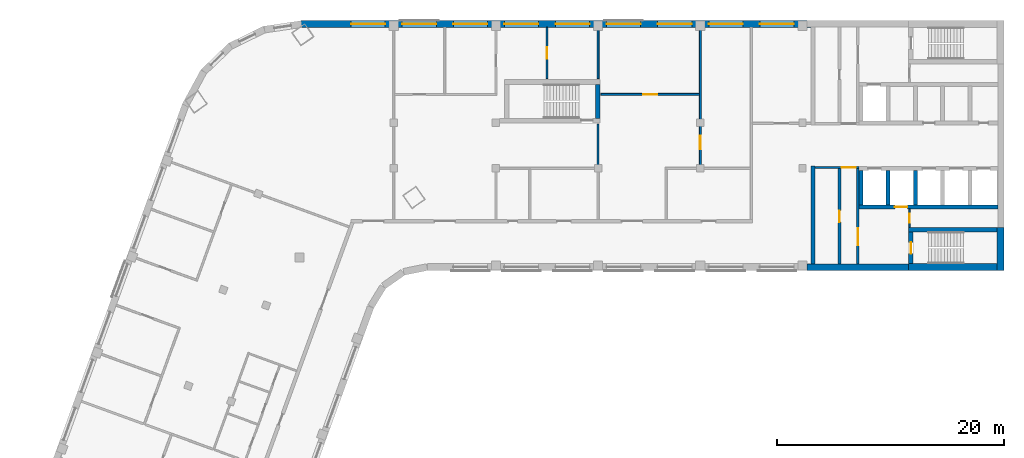
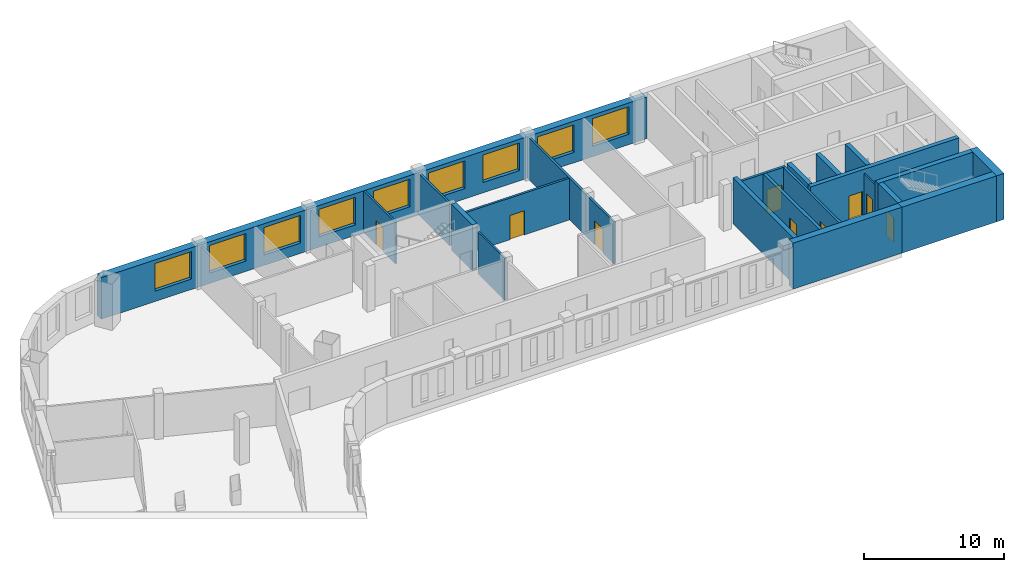
# One storey, part 5 of 8: 21 walls, 9 doors, 9 windows, 18 openings.
"""IFC4 building model written with IfcOpenShell, lengths in metres."""

import ifcopenshell
import ifcopenshell.guid

model = None  # the IFC model being written
_history = None  # IfcOwnerHistory: only IFC2X3 demands one
_inside = {}  # id of a spatial element -> (the spatial element, [elements in it])
_under = {}  # id of a project, library or spatial element -> (it, [spatial elements below it])
_declared = {}  # id of a project -> (the project, [libraries it declares])
_typed = {}  # id of a type object -> (the type object, [elements of that type])
_made_of = {}  # id of a material, layer set ... -> (it, [elements and type objects made of it])


def new_model(schema):
    """Start an empty IFC model of exactly this schema.

    Asked for "IFC4X3", IfcOpenShell would pick the latest addendum, in which some entities
    have other attributes; the version numbers below select the first issue.
    IFC2X3 requires an IfcOwnerHistory on every rooted entity: one is made here for all.
    """
    global model, _history
    if schema == "IFC4X3":
        model = ifcopenshell.file(schema_version=(4, 3, 0, 0))
    else:
        model = ifcopenshell.file(schema=schema)
    _inside.clear()
    _under.clear()
    _declared.clear()
    _typed.clear()
    _made_of.clear()
    _history = None
    if model.schema == "IFC2X3":
        org = make("IfcOrganization", Name="unknown")
        user = make(
            "IfcPersonAndOrganization",
            ThePerson=make("IfcPerson", FamilyName="unknown"),
            TheOrganization=org,
        )
        app = make(
            "IfcApplication",
            ApplicationDeveloper=org,
            Version="unknown",
            ApplicationFullName="unknown",
            ApplicationIdentifier="unknown",
        )
        _history = make(
            "IfcOwnerHistory",
            OwningUser=user,
            OwningApplication=app,
            ChangeAction="ADDED",
            CreationDate=0,
        )
    return model


def make(cls, **values):
    """One entity of the class cls with the attributes given. An attribute that is None is left unset."""
    return model.create_entity(
        cls, **{name: value for name, value in values.items() if value is not None}
    )


def rooted(cls, **values):
    """An entity with a GlobalId (a new one), such as an element, a storey or a relation."""
    return make(cls, GlobalId=ifcopenshell.guid.new(), OwnerHistory=_history, **values)


def si_unit(unit_type, name, prefix=None):
    """IfcSIUnit, for example si_unit("LENGTHUNIT", "METRE", prefix="MILLI")."""
    return make("IfcSIUnit", UnitType=unit_type, Prefix=prefix, Name=name)


def assignment(units):
    """IfcUnitAssignment: the units of a project."""
    return None if units is None else make("IfcUnitAssignment", Units=units)


def point(xyz):
    """IfcCartesianPoint."""
    return None if xyz is None else make("IfcCartesianPoint", Coordinates=xyz)


def direction(xyz):
    """IfcDirection."""
    return None if xyz is None else make("IfcDirection", DirectionRatios=xyz)


def frame(location, z_axis=None, x_axis=None):
    """IfcAxis2Placement3D, a coordinate frame: its origin and axes. An axis left out is left unset."""
    return make(
        "IfcAxis2Placement3D",
        Location=point(location),
        Axis=direction(z_axis),
        RefDirection=direction(x_axis),
    )


def frame_2d(location, x_axis=None):
    """IfcAxis2Placement2D, a coordinate frame in the plane: its origin and x axis."""
    return make(
        "IfcAxis2Placement2D", Location=point(location), RefDirection=direction(x_axis)
    )


def origin():
    """The frame at (0, 0, 0) with its axes left unset."""
    return frame((0.0, 0.0, 0.0))


def place(relative_to, where):
    """IfcLocalPlacement: puts the frame where relative to a parent placement (None: the world)."""
    return make(
        "IfcLocalPlacement", PlacementRelTo=relative_to, RelativePlacement=where
    )


def context(
    kind, dimensions, precision=None, world=None, true_north=None, identifier=None
):
    """IfcGeometricRepresentationContext, for example the 3D "Model" context."""
    return make(
        "IfcGeometricRepresentationContext",
        ContextIdentifier=identifier,
        ContextType=kind,
        CoordinateSpaceDimension=dimensions,
        Precision=precision,
        WorldCoordinateSystem=world,
        TrueNorth=true_north,
    )


def subcontext(parent, identifier, kind, view, scale=None):
    """IfcGeometricRepresentationSubContext, for example "Body" below "Model"."""
    return make(
        "IfcGeometricRepresentationSubContext",
        ContextIdentifier=identifier,
        ContextType=kind,
        ParentContext=parent,
        TargetScale=scale,
        TargetView=view,
    )


def project(units=None, contexts=None):
    """IfcProject with its units and contexts."""
    return rooted(
        "IfcProject",
        Name="project",
        RepresentationContexts=contexts,
        UnitsInContext=assignment(units),
    )


def spatial(cls, under=None, at=None, **own):
    """A site, building, storey or space (cls), placed at a placement, below another one or the project."""
    s = rooted(cls, ObjectPlacement=at, **own)
    if under is not None:
        _under.setdefault(under.id(), (under, []))[1].append(s)
    return s


def profile(cls, at=None, kind="AREA", **sizes):
    """A parametric profile (cls). Its sizes go by their IFC names, for example OverallWidth=200.0."""
    return make(cls, ProfileType=kind, Position=at, **sizes)


def rectangle(**sizes):
    """IfcRectangleProfileDef."""
    return profile("IfcRectangleProfileDef", **sizes)


def extrude(swept, where, along, depth):
    """IfcExtrudedAreaSolid: the profile swept, set in the frame where, extruded along a direction by depth."""
    return make(
        "IfcExtrudedAreaSolid",
        SweptArea=swept,
        Position=where,
        ExtrudedDirection=direction(along),
        Depth=depth,
    )


def shape(context_of_items, identifier, shape_type, items):
    """IfcShapeRepresentation: the items that make up one representation, for example the "Body"."""
    return make(
        "IfcShapeRepresentation",
        ContextOfItems=context_of_items,
        RepresentationIdentifier=identifier,
        RepresentationType=shape_type,
        Items=items,
    )


def material(Name=None, Category=None):
    """IfcMaterial."""
    return make("IfcMaterial", Name=Name, Category=Category)


def layer(
    of_material, thickness, ventilated=None, Name=None, Category=None, Priority=None
):
    """IfcMaterialLayer: one layer of a wall or slab, of a material (None: an air gap)."""
    return make(
        "IfcMaterialLayer",
        Material=of_material,
        LayerThickness=thickness,
        IsVentilated=ventilated,
        Name=Name,
        Category=Category,
        Priority=Priority,
    )


def layer_set(layers, Name=None):
    """IfcMaterialLayerSet."""
    return make("IfcMaterialLayerSet", MaterialLayers=layers, LayerSetName=Name)


def made_of(thing, what):
    """Note that an element or type object is made of a material, layer set ...; save() writes the relation."""
    if what is not None:
        _made_of.setdefault(what.id(), (what, []))[1].append(thing)
    return thing


def type_object(cls, material=None, **own):
    """A type object (cls), such as IfcWallType, which elements share."""
    return made_of(rooted(cls, **own), material)


def element(
    cls,
    number,
    at=None,
    inside=None,
    cuts=None,
    type_object=None,
    material=None,
    context=None,
    identifier="Body",
    shape_type=None,
    held_by="IfcProductDefinitionShape",
    body=None,
    shapes=None,
    **own,
):
    """One element of the class cls, such as IfcWall. Its Tag is "e" and its number.

    at: its placement. inside: the storey or other place that contains it. cuts: it is an
    opening in that element (IfcRelVoidsElement). A single representation is given by context,
    identifier, shape_type and body (its items); several are given by shapes. held_by: the class
    of the entity that holds the representations. save() writes the other relations.
    """
    e = rooted(cls, Tag="e%d" % number, ObjectPlacement=at, **own)
    if body is not None:
        shapes = [shape(context, identifier, shape_type, body)]
    if shapes is not None:
        e.Representation = make(held_by, Representations=shapes)
    if inside is not None:
        _inside.setdefault(inside.id(), (inside, []))[1].append(e)
    if cuts is not None:
        rooted(
            "IfcRelVoidsElement", RelatingBuildingElement=cuts, RelatedOpeningElement=e
        )
    if type_object is not None:
        _typed.setdefault(type_object.id(), (type_object, []))[1].append(e)
    return made_of(e, material)


def fill(opening, filler):
    """IfcRelFillsElement: the door or window that sits in an opening."""
    return rooted(
        "IfcRelFillsElement",
        RelatingOpeningElement=opening,
        RelatedBuildingElement=filler,
    )


def aggregate(whole, parts):
    """IfcRelAggregates: a whole, such as a stair, and the parts it consists of."""
    return rooted("IfcRelAggregates", RelatingObject=whole, RelatedObjects=parts)


def save(model, path):
    """Write the relations noted so far, then the file.

    IfcRelAggregates (storeys below a building ...), IfcRelContainedInSpatialStructure (elements
    in a storey), IfcRelDefinesByType, IfcRelAssociatesMaterial and IfcRelDeclares: one each for
    every whole, place, type object, material and project.
    """
    for whole, parts in _under.values():
        aggregate(whole, parts)
    for where, things in _inside.values():
        rooted(
            "IfcRelContainedInSpatialStructure",
            RelatedElements=things,
            RelatingStructure=where,
        )
    for kind, things in _typed.values():
        rooted("IfcRelDefinesByType", RelatedObjects=things, RelatingType=kind)
    for what, things in _made_of.values():
        rooted("IfcRelAssociatesMaterial", RelatedObjects=things, RelatingMaterial=what)
    for by, libraries in _declared.values():
        rooted("IfcRelDeclares", RelatingContext=by, RelatedDefinitions=libraries)
    model.write(path)


model = new_model("IFC4")

# Units and contexts
model_context = context("Model", 3, precision=1e-05, world=origin(), true_north=direction((0.0, 1.0)))
body_context = subcontext(model_context, "Body", "Model", "MODEL_VIEW")
ifc_project = project(units=[si_unit("LENGTHUNIT", "METRE"), si_unit("AREAUNIT", "SQUARE_METRE"), si_unit("VOLUMEUNIT", "CUBIC_METRE"), si_unit("PLANEANGLEUNIT", "RADIAN"), si_unit("MASSUNIT", "GRAM", prefix="KILO")], contexts=[model_context])

# Site, building, storey
site_placement = place(None, origin())
site = spatial("IfcSite", under=ifc_project, at=site_placement, CompositionType="ELEMENT")
building_placement = place(site_placement, origin())
building = spatial("IfcBuilding", under=site, at=building_placement, Name="Skarvind Civic Tower", CompositionType="ELEMENT")
storey_placement = place(building_placement, frame((0.0, 0.0, 174.5)))
storey = spatial("IfcBuildingStorey", under=building, at=storey_placement, Name="L41", CompositionType="ELEMENT", Elevation=174.5)

# Wall
ifc_material_1 = material(Name="Acoustic gypsum board on steel studs", Category="steel")
ifc_layer_1 = layer(ifc_material_1, 0.175048828125)
ifc_layer_set_1 = layer_set([ifc_layer_1], Name="ACOUSTIC MEETING-ROOM PARTITION 175")
wall_type_1 = type_object("IfcWallType", Name="ACOUSTIC MEETING-ROOM PARTITION 175", PredefinedType="PARTITIONING", material=ifc_layer_set_1)
wall_1_placement = place(storey_placement, frame((72.25, 133.89990234375, 0.0), z_axis=(0.0, 0.0, 1.0), x_axis=(0.0, 1.0, 0.0)))
element("IfcWall", 1, at=wall_1_placement, inside=storey, type_object=wall_type_1, Name="Partition 41.034", PredefinedType="PARTITIONING", context=body_context, shape_type="SweptSolid", body=[
    extrude(rectangle(XDim=4.5, YDim=0.175048828125, at=frame_2d((2.25, 0.0))), origin(), (0.0, 0.0, 1.0), 3.625),
])

# Wall, opening, door
wall_2_placement = place(storey_placement, frame((81.25, 126.087890625, 0.0), z_axis=(0.0, 0.0, 1.0), x_axis=(0.0, 1.0, 0.0)))
wall_2 = element("IfcWall", 2, at=wall_2_placement, inside=storey, type_object=wall_type_1, Name="Partition 41.037", PredefinedType="PARTITIONING", context=body_context, shape_type="SweptSolid", body=[
    extrude(rectangle(XDim=12.31201171875, YDim=0.175048828125, at=frame_2d((6.156005859375, 0.0))), origin(), (0.0, 0.0, 1.0), 3.625),
])
opening_1_placement = place(wall_2_placement, frame((1.597412109375, 0.0, 0.0)))
opening_1 = element("IfcOpeningElement", 3, at=opening_1_placement, cuts=wall_2, Name="Opening L41-D022", PredefinedType="OPENING", context=body_context, shape_type="SweptSolid", body=[
    extrude(rectangle(XDim=1.199951171875, YDim=2.10009765625, at=frame_2d((0.60009765625, 1.050048828125))), frame((0.0, 0.097412109375, 0.0), z_axis=(0.0, -1.0, 0.0), x_axis=(1.0, 0.0, 0.0)), (0.0, 0.0, 1.0), 0.195068359375),
])
ifc_material_2 = material(Name="Timber door leaf", Category="wood")
door_type_1 = type_object("IfcDoorType", Name="DOOR 1200X2100 DOUBLE TIMBER", OperationType="NOTDEFINED", PredefinedType="DOOR", material=ifc_material_2)
door_1_placement = place(opening_1_placement, origin())
door_1 = element("IfcDoor", 4, at=door_1_placement, inside=storey, type_object=door_type_1, Name="Door L41-D022", OperationType="DOUBLE_DOOR_SINGLE_SWING", OverallHeight=2.10009765625, OverallWidth=1.199951171875, PredefinedType="DOOR", context=body_context, shape_type="SweptSolid", body=[
    extrude(rectangle(XDim=1.199951171875, YDim=2.10009765625, at=frame_2d((0.60009765625, 1.050048828125))), frame((0.0, 0.02490234375, 0.0), z_axis=(0.0, -1.0, 0.0), x_axis=(1.0, 0.0, 0.0)), (0.0, 0.0, 1.0), 0.050048828125),
])
fill(opening_1, door_1)

wall_3_placement = place(storey_placement, frame((81.162109375, 132.5, 0.0), z_axis=(0.0, 0.0, 1.0), x_axis=(-1.0, 0.0, 0.0)))
wall_3 = element("IfcWall", 5, at=wall_3_placement, inside=storey, type_object=wall_type_1, Name="Partition 41.038", PredefinedType="PARTITIONING", context=body_context, shape_type="SweptSolid", body=[
    extrude(rectangle(XDim=8.662109375, YDim=0.175048828125, at=frame_2d((4.3310546875, 0.0))), origin(), (0.0, 0.0, 1.0), 3.625),
])
opening_2_placement = place(wall_3_placement, frame((3.720947265625, 0.0, 0.0)))
opening_2 = element("IfcOpeningElement", 6, at=opening_2_placement, cuts=wall_3, Name="Opening L41-D003", PredefinedType="OPENING", context=body_context, shape_type="SweptSolid", body=[
    extrude(rectangle(XDim=1.199951171875, YDim=2.10009765625, at=frame_2d((0.60009765625, 1.050048828125))), frame((0.0, 0.097412109375, 0.0), z_axis=(0.0, -1.0, 0.0), x_axis=(1.0, 0.0, 0.0)), (0.0, 0.0, 1.0), 0.195068359375),
])
door_2_placement = place(opening_2_placement, origin())
door_2 = element("IfcDoor", 7, at=door_2_placement, inside=storey, type_object=door_type_1, Name="Door L41-D003", OperationType="DOUBLE_DOOR_SINGLE_SWING", OverallHeight=2.10009765625, OverallWidth=1.199951171875, PredefinedType="DOOR", context=body_context, shape_type="SweptSolid", body=[
    extrude(rectangle(XDim=1.199951171875, YDim=2.10009765625, at=frame_2d((0.60009765625, 1.050048828125))), frame((0.0, 0.02490234375, 0.0), z_axis=(0.0, -1.0, 0.0), x_axis=(1.0, 0.0, 0.0)), (0.0, 0.0, 1.0), 0.050048828125),
])
fill(opening_2, door_2)

ifc_material_3 = material(Name="Fire-rated masonry partition", Category="masonry")
ifc_layer_2 = layer(ifc_material_3, 0.199951171875)
ifc_layer_set_2 = layer_set([ifc_layer_2], Name="Core enclosure wall 200")
wall_type_2 = type_object("IfcWallType", Name="Core enclosure wall 200", PredefinedType="PARTITIONING", material=ifc_layer_set_2)
wall_4_placement = place(storey_placement, frame((95.22509765625, 126.074951171875, 0.0), z_axis=(0.0, 0.0, 1.0), x_axis=(-1.0, 0.0, 0.0)))
wall_4 = element("IfcWall", 8, at=wall_4_placement, inside=storey, type_object=wall_type_2, Name="Core wall C1", PredefinedType="PARTITIONING", context=body_context, shape_type="SweptSolid", body=[
    extrude(rectangle(XDim=3.875, YDim=0.199951171875, at=frame_2d((1.9375, 0.0))), origin(), (0.0, 0.0, 1.0), 3.625),
])
opening_3_placement = place(wall_4_placement, frame((0.300048828125, 0.0, 0.0)))
opening_3 = element("IfcOpeningElement", 9, at=opening_3_placement, cuts=wall_4, Name="Opening D-L41-C1-07", PredefinedType="OPENING", context=body_context, shape_type="SweptSolid", body=[
    extrude(rectangle(XDim=1.199951171875, YDim=2.10009765625, at=frame_2d((0.60009765625, 1.050048828125))), frame((0.0, 0.10986328125, 0.0), z_axis=(0.0, -1.0, 0.0), x_axis=(1.0, 0.0, 0.0)), (0.0, 0.0, 1.0), 0.219970703125),
])
ifc_material_4 = material(Name="Fire-rated steel door", Category="steel")
door_type_2 = type_object("IfcDoorType", Name="Core lobby door 1200", OperationType="NOTDEFINED", PredefinedType="DOOR", material=ifc_material_4)
door_3_placement = place(opening_3_placement, origin())
door_3 = element("IfcDoor", 10, at=door_3_placement, inside=storey, type_object=door_type_2, Name="Fire door", OperationType="DOUBLE_DOOR_SINGLE_SWING", OverallHeight=2.10009765625, OverallWidth=1.199951171875, PredefinedType="DOOR", context=body_context, shape_type="SweptSolid", body=[
    extrude(rectangle(XDim=1.199951171875, YDim=2.10009765625, at=frame_2d((0.60009765625, 1.050048828125))), frame((0.0, 0.02490234375, 0.0), z_axis=(0.0, -1.0, 0.0), x_axis=(1.0, 0.0, 0.0)), (0.0, 0.0, 1.0), 0.050048828125),
])
fill(opening_3, door_3)

wall_5_placement = place(storey_placement, frame((95.125, 117.550048828125, 0.0), z_axis=(0.0, 0.0, 1.0), x_axis=(0.0, 1.0, 0.0)))
wall_5 = element("IfcWall", 11, at=wall_5_placement, inside=storey, type_object=wall_type_2, Name="Core wall C1", PredefinedType="PARTITIONING", context=body_context, shape_type="SweptSolid", body=[
    extrude(rectangle(XDim=8.425048828125, YDim=0.199951171875, at=frame_2d((4.21240234375, 0.0))), origin(), (0.0, 0.0, 1.0), 3.625),
])
opening_4_placement = place(wall_5_placement, frame((1.6875, 0.0, 0.0)))
opening_4 = element("IfcOpeningElement", 12, at=opening_4_placement, cuts=wall_5, Name="Opening D-L41-C1-08", PredefinedType="OPENING", context=body_context, shape_type="SweptSolid", body=[
    extrude(rectangle(XDim=1.5, YDim=2.10009765625, at=frame_2d((0.75, 1.050048828125))), frame((0.0, 0.10986328125, 0.0), z_axis=(0.0, -1.0, 0.0), x_axis=(1.0, 0.0, 0.0)), (0.0, 0.0, 1.0), 0.219970703125),
])
door_type_3 = type_object("IfcDoorType", Name="Fire door 1500", OperationType="NOTDEFINED", PredefinedType="DOOR", material=ifc_material_4)
door_4_placement = place(opening_4_placement, origin())
door_4 = element("IfcDoor", 13, at=door_4_placement, inside=storey, type_object=door_type_3, Name="Fire door", OperationType="DOUBLE_DOOR_SINGLE_SWING", OverallHeight=2.10009765625, OverallWidth=1.5, PredefinedType="DOOR", context=body_context, shape_type="SweptSolid", body=[
    extrude(rectangle(XDim=1.5, YDim=2.10009765625, at=frame_2d((0.75, 1.050048828125))), frame((0.0, 0.02490234375, 0.0), z_axis=(0.0, -1.0, 0.0), x_axis=(1.0, 0.0, 0.0)), (0.0, 0.0, 1.0), 0.050048828125),
])
fill(opening_4, door_4)

ifc_material_5 = material(Name="Concrete C60", Category="concrete")
ifc_layer_3 = layer(ifc_material_5, 0.35009765625)
ifc_layer_set_3 = layer_set([ifc_layer_3], Name="Core wall 350 C60")
wall_type_3 = type_object("IfcWallType", Name="Core wall 350 C60", PredefinedType="SHEAR", material=ifc_layer_set_3)
wall_6_placement = place(storey_placement, frame((107.449951171875, 122.60009765625, 0.0), z_axis=(0.0, 0.0, 1.0), x_axis=(-1.0, 0.0, 0.0)))
wall_6 = element("IfcWall", 14, at=wall_6_placement, inside=storey, type_object=wall_type_3, Name="Core wall C1 north lift row back L41", PredefinedType="SHEAR", context=body_context, shape_type="SweptSolid", body=[
    extrude(rectangle(XDim=12.224853515625, YDim=0.35009765625, at=frame_2d((6.1123046875, 0.0))), origin(), (0.0, 0.0, 1.0), 4.0),
])
opening_5_placement = place(wall_6_placement, frame((7.949951171875, 0.0, 0.0)))
opening_5 = element("IfcOpeningElement", 15, at=opening_5_placement, cuts=wall_6, Name="Opening LD43104", PredefinedType="OPENING", context=body_context, shape_type="SweptSolid", body=[
    extrude(rectangle(XDim=1.10009765625, YDim=2.10009765625, at=frame_2d((0.550048828125, 1.050048828125))), frame((0.0, 0.18505859375, 0.0), z_axis=(0.0, -1.0, 0.0), x_axis=(1.0, 0.0, 0.0)), (0.0, 0.0, 1.0), 0.3701171875),
])
ifc_material_6 = material(Name="Stainless steel landing door", Category="steel")
door_type_4 = type_object("IfcDoorType", Name="Lift landing door 1100", OperationType="DOUBLE_DOOR_SLIDING", PredefinedType="DOOR", material=ifc_material_6)
door_5_placement = place(opening_5_placement, origin())
door_5 = element("IfcDoor", 16, at=door_5_placement, inside=storey, type_object=door_type_4, Name="Lift landing door", OperationType="DOUBLE_DOOR_SLIDING", OverallHeight=2.10009765625, OverallWidth=1.10009765625, PredefinedType="DOOR", context=body_context, shape_type="SweptSolid", body=[
    extrude(rectangle(XDim=1.10009765625, YDim=2.10009765625, at=frame_2d((0.550048828125, 1.050048828125))), frame((0.0, 0.02490234375, 0.0), z_axis=(0.0, -1.0, 0.0), x_axis=(1.0, 0.0, 0.0)), (0.0, 0.0, 1.0), 0.050048828125),
])
fill(opening_5, door_5)

# Walls
for number, where, z_axis, x_axis, name in (
    (17, (100.199951171875, 125.824951171875, 0.0), (0.0, 0.0, 1.0), (0.0, -1.0, 0.0), "Core wall C1 north lift row division 3 L41"),
    (18, (97.800048828125, 125.824951171875, 0.0), (0.0, 0.0, 1.0), (0.0, -1.0, 0.0), "Core wall C1 north lift row division 4 L41"),
    (19, (95.39990234375, 125.824951171875, 0.0), (0.0, 0.0, 1.0), (0.0, -1.0, 0.0), "Core wall C1 north lift row division 5 L41"),
):
    element("IfcWall", number, at=place(storey_placement, frame(where, z_axis=z_axis, x_axis=x_axis)), inside=storey, type_object=wall_type_3, Name=name, PredefinedType="SHEAR", context=body_context, shape_type="SweptSolid", body=[
        extrude(rectangle(XDim=3.050048828125, YDim=0.35009765625, at=frame_2d((1.52490234375, 0.0))), origin(), (0.0, 0.0, 1.0), 4.0),
    ])
wall_7_placement = place(storey_placement, frame((91.175048828125, 126.199951171875, 0.0), z_axis=(0.0, 0.0, 1.0), x_axis=(0.0, -1.0, 0.0)))
element("IfcWall", 20, at=wall_7_placement, inside=storey, type_object=wall_type_3, Name="Core wall C1 north inner face L41", PredefinedType="SHEAR", context=body_context, shape_type="SweptSolid", body=[
    extrude(rectangle(XDim=8.64990234375, YDim=0.35009765625, at=frame_2d((4.324951171875, 0.0))), origin(), (0.0, 0.0, 1.0), 4.0),
])
ifc_layer_4 = layer(ifc_material_5, 0.39990234375)
ifc_layer_set_4 = layer_set([ifc_layer_4], Name="Core wall 400 C60")
wall_type_4 = type_object("IfcWallType", Name="Core wall 400 C60", PredefinedType="SHEAR", material=ifc_layer_set_4)
wall_8_placement = place(storey_placement, frame((107.39990234375, 120.60009765625, 0.0), z_axis=(0.0, 0.0, 1.0), x_axis=(-1.0, 0.0, 0.0)))
element("IfcWall", 21, at=wall_8_placement, inside=storey, type_object=wall_type_4, Name="Core wall C1 north stair inner L41", PredefinedType="SHEAR", context=body_context, shape_type="SweptSolid", body=[
    extrude(rectangle(XDim=7.7998046875, YDim=0.39990234375, at=frame_2d((3.89990234375, 0.0))), origin(), (0.0, 0.0, 1.0), 4.0),
])

# Wall, opening, door
wall_9_placement = place(storey_placement, frame((99.800048828125, 120.39990234375, 0.0), z_axis=(0.0, 0.0, 1.0), x_axis=(0.0, -1.0, 0.0)))
wall_9 = element("IfcWall", 22, at=wall_9_placement, inside=storey, type_object=wall_type_4, Name="Core wall C1 north stair end L41", PredefinedType="SHEAR", context=body_context, shape_type="SweptSolid", body=[
    extrude(rectangle(XDim=2.7998046875, YDim=0.39990234375, at=frame_2d((1.39990234375, 0.0))), origin(), (0.0, 0.0, 1.0), 4.0),
])
opening_6_placement = place(wall_9_placement, frame((0.925048828125, 0.0, 0.0)))
opening_6 = element("IfcOpeningElement", 23, at=opening_6_placement, cuts=wall_9, Name="Opening D-L41-C1-09", PredefinedType="OPENING", context=body_context, shape_type="SweptSolid", body=[
    extrude(rectangle(XDim=1.0, YDim=2.10009765625, at=frame_2d((0.5, 1.050048828125))), frame((0.0, 0.2099609375, 0.0), z_axis=(0.0, -1.0, 0.0), x_axis=(1.0, 0.0, 0.0)), (0.0, 0.0, 1.0), 0.419921875),
])
door_type_5 = type_object("IfcDoorType", Name="Fire door 1000", OperationType="NOTDEFINED", PredefinedType="DOOR", material=ifc_material_4)
door_6_placement = place(opening_6_placement, origin())
door_6 = element("IfcDoor", 24, at=door_6_placement, inside=storey, type_object=door_type_5, Name="Fire door", OperationType="SINGLE_SWING_LEFT", OverallHeight=2.10009765625, OverallWidth=1.0, PredefinedType="DOOR", context=body_context, shape_type="SweptSolid", body=[
    extrude(rectangle(XDim=1.0, YDim=2.10009765625, at=frame_2d((0.5, 1.050048828125))), frame((0.0, 0.02490234375, 0.0), z_axis=(0.0, -1.0, 0.0), x_axis=(1.0, 0.0, 0.0)), (0.0, 0.0, 1.0), 0.050048828125),
])
fill(opening_6, door_6)

# Walls
wall_10_placement = place(storey_placement, frame((72.199951171875, 130.39990234375, 0.0), z_axis=(0.0, 0.0, 1.0), x_axis=(0.0, 1.0, 0.0)))
element("IfcWall", 25, at=wall_10_placement, inside=storey, type_object=wall_type_4, Name="Core wall CM end L41", PredefinedType="SHEAR", context=body_context, shape_type="SweptSolid", body=[
    extrude(rectangle(XDim=3.0, YDim=0.39990234375, at=frame_2d((1.5, 0.0))), origin(), (0.0, 0.0, 1.0), 4.0),
])
ifc_layer_5 = layer(ifc_material_5, 0.550048828125)
ifc_layer_set_5 = layer_set([ifc_layer_5], Name="Core wall 550 C60")
wall_type_5 = type_object("IfcWallType", Name="Core wall 550 C60", PredefinedType="SHEAR", material=ifc_layer_set_5)
wall_11_placement = place(storey_placement, frame((99.60009765625, 117.27490234375, 0.0), z_axis=(0.0, 0.0, 1.0), x_axis=(-1.0, 0.0, 0.0)))
element("IfcWall", 26, at=wall_11_placement, inside=storey, type_object=wall_type_5, Name="Core wall C1 north side L41", PredefinedType="SHEAR", context=body_context, shape_type="SweptSolid", body=[
    extrude(rectangle(XDim=8.9501953125, YDim=0.550048828125, at=frame_2d((4.47509765625, 0.0))), origin(), (0.0, 0.0, 1.0), 4.0),
])
ifc_layer_6 = layer(ifc_material_5, 0.60009765625)
ifc_layer_set_6 = layer_set([ifc_layer_6], Name="Core wall 600 C60")
wall_type_6 = type_object("IfcWallType", Name="Core wall 600 C60", PredefinedType="SHEAR", material=ifc_layer_set_6)
wall_12_placement = place(storey_placement, frame((107.699951171875, 120.800048828125, 0.0), z_axis=(0.0, 0.0, 1.0), x_axis=(0.0, -1.0, 0.0)))
element("IfcWall", 27, at=wall_12_placement, inside=storey, type_object=wall_type_6, Name="Core wall C1 tip at the north stair L41", PredefinedType="SHEAR", context=body_context, shape_type="SweptSolid", body=[
    extrude(rectangle(XDim=3.800048828125, YDim=0.60009765625, at=frame_2d((1.89990234375, 0.0))), origin(), (0.0, 0.0, 1.0), 4.0),
])
wall_13_placement = place(storey_placement, frame((107.39990234375, 117.300048828125, 0.0), z_axis=(0.0, 0.0, 1.0), x_axis=(-1.0, 0.0, 0.0)))
element("IfcWall", 28, at=wall_13_placement, inside=storey, type_object=wall_type_6, Name="Core wall C1 north side at the stair L41", PredefinedType="SHEAR", context=body_context, shape_type="SweptSolid", body=[
    extrude(rectangle(XDim=7.7998046875, YDim=0.60009765625, at=frame_2d((3.89990234375, 0.0))), origin(), (0.0, 0.0, 1.0), 4.0),
])

# Wall, opening, door
ifc_material_7 = material(Name="Plasterboard partition on steel studs", Category="steel")
ifc_layer_7 = layer(ifc_material_7, 0.14990234375)
ifc_layer_set_7 = layer_set([ifc_layer_7], Name="PARTITION 150")
wall_type_7 = type_object("IfcWallType", Name="PARTITION 150", PredefinedType="PARTITIONING", material=ifc_layer_set_7)
wall_14_placement = place(storey_placement, frame((67.75, 133.89990234375, 0.0), z_axis=(0.0, 0.0, 1.0), x_axis=(0.0, 1.0, 0.0)))
wall_14 = element("IfcWall", 29, at=wall_14_placement, inside=storey, type_object=wall_type_7, Name="Partition 41.031", PredefinedType="PARTITIONING", context=body_context, shape_type="SweptSolid", body=[
    extrude(rectangle(XDim=4.5, YDim=0.14990234375, at=frame_2d((2.25, 0.0))), origin(), (0.0, 0.0, 1.0), 3.625),
])
opening_7_placement = place(wall_14_placement, frame((1.75, 0.0, 0.0)))
opening_7 = element("IfcOpeningElement", 30, at=opening_7_placement, cuts=wall_14, Name="Opening L41-D007", PredefinedType="OPENING", context=body_context, shape_type="SweptSolid", body=[
    extrude(rectangle(XDim=1.0, YDim=2.10009765625, at=frame_2d((0.5, 1.050048828125))), frame((0.0, 0.0849609375, 0.0), z_axis=(0.0, -1.0, 0.0), x_axis=(1.0, 0.0, 0.0)), (0.0, 0.0, 1.0), 0.169921875),
])
door_type_6 = type_object("IfcDoorType", Name="D1 1000x2100", OperationType="NOTDEFINED", PredefinedType="DOOR", material=ifc_material_2)
door_7_placement = place(opening_7_placement, origin())
door_7 = element("IfcDoor", 31, at=door_7_placement, inside=storey, type_object=door_type_6, Name="Door L41-D007", OperationType="SINGLE_SWING_LEFT", OverallHeight=2.10009765625, OverallWidth=1.0, PredefinedType="DOOR", context=body_context, shape_type="SweptSolid", body=[
    extrude(rectangle(XDim=1.0, YDim=2.10009765625, at=frame_2d((0.5, 1.050048828125))), frame((0.0, 0.02490234375, 0.0), z_axis=(0.0, -1.0, 0.0), x_axis=(1.0, 0.0, 0.0)), (0.0, 0.0, 1.0), 0.050048828125),
])
fill(opening_7, door_7)

# Wall
wall_15_placement = place(storey_placement, frame((72.25, 126.083984375, 0.0), z_axis=(0.0, 0.0, 1.0), x_axis=(0.0, 1.0, 0.0)))
element("IfcWall", 32, at=wall_15_placement, inside=storey, type_object=wall_type_7, Name="Partition 41.033", PredefinedType="PARTITIONING", context=body_context, shape_type="SweptSolid", body=[
    extrude(rectangle(XDim=3.81591796875, YDim=0.14990234375, at=frame_2d((1.907958984375, 0.0))), origin(), (0.0, 0.0, 1.0), 3.625),
])

# Wall, opening, door
ifc_layer_8 = layer(ifc_material_3, 0.125)
ifc_layer_set_8 = layer_set([ifc_layer_8], Name="Riser wall 125")
wall_type_8 = type_object("IfcWallType", Name="Riser wall 125", PredefinedType="PARTITIONING", material=ifc_layer_set_8)
wall_16_placement = place(storey_placement, frame((99.66259765625, 120.800048828125, 0.0), z_axis=(0.0, 0.0, 1.0), x_axis=(0.0, 1.0, 0.0)))
wall_16 = element("IfcWall", 33, at=wall_16_placement, inside=storey, type_object=wall_type_8, Name="Core wall C1", PredefinedType="PARTITIONING", context=body_context, shape_type="SweptSolid", body=[
    extrude(rectangle(XDim=1.625, YDim=0.125, at=frame_2d((0.8125, 0.0))), origin(), (0.0, 0.0, 1.0), 3.625),
])
opening_8_placement = place(wall_16_placement, frame((0.41259765625, 0.0, 0.0)))
opening_8 = element("IfcOpeningElement", 34, at=opening_8_placement, cuts=wall_16, Name="Opening D-L41-C1-10", PredefinedType="OPENING", context=body_context, shape_type="SweptSolid", body=[
    extrude(rectangle(XDim=0.800048828125, YDim=2.10009765625, at=frame_2d((0.39990234375, 1.050048828125))), frame((0.0, 0.072509765625, 0.0), z_axis=(0.0, -1.0, 0.0), x_axis=(1.0, 0.0, 0.0)), (0.0, 0.0, 1.0), 0.14501953125),
])
door_type_7 = type_object("IfcDoorType", Name="Core riser door 800", OperationType="NOTDEFINED", PredefinedType="DOOR", material=ifc_material_4)
door_8_placement = place(opening_8_placement, origin())
door_8 = element("IfcDoor", 35, at=door_8_placement, inside=storey, type_object=door_type_7, Name="Riser door", OperationType="SINGLE_SWING_RIGHT", OverallHeight=2.10009765625, OverallWidth=0.800048828125, PredefinedType="DOOR", context=body_context, shape_type="SweptSolid", body=[
    extrude(rectangle(XDim=0.800048828125, YDim=2.10009765625, at=frame_2d((0.39990234375, 1.050048828125))), frame((0.0, 0.02490234375, 0.0), z_axis=(0.0, -1.0, 0.0), x_axis=(1.0, 0.0, 0.0)), (0.0, 0.0, 1.0), 0.050048828125),
])
fill(opening_8, door_8)

ifc_layer_9 = layer(ifc_material_3, 0.25)
ifc_layer_set_9 = layer_set([ifc_layer_9], Name="Service block wall 250")
wall_type_9 = type_object("IfcWallType", Name="Service block wall 250", PredefinedType="PARTITIONING", material=ifc_layer_set_9)
wall_17_placement = place(storey_placement, frame((93.5, 117.550048828125, 0.0), z_axis=(0.0, 0.0, 1.0), x_axis=(0.0, 1.0, 0.0)))
wall_17 = element("IfcWall", 36, at=wall_17_placement, inside=storey, type_object=wall_type_9, Name="Core wall C1", PredefinedType="PARTITIONING", context=body_context, shape_type="SweptSolid", body=[
    extrude(rectangle(XDim=8.425048828125, YDim=0.25, at=frame_2d((4.21240234375, 0.0))), origin(), (0.0, 0.0, 1.0), 3.625),
])
opening_9_placement = place(wall_17_placement, frame((3.71240234375, 0.0, 0.0)))
opening_9 = element("IfcOpeningElement", 37, at=opening_9_placement, cuts=wall_17, Name="Opening D-L41-C1-11", PredefinedType="OPENING", context=body_context, shape_type="SweptSolid", body=[
    extrude(rectangle(XDim=1.0, YDim=2.10009765625, at=frame_2d((0.5, 1.050048828125))), frame((0.0, 0.135009765625, 0.0), z_axis=(0.0, -1.0, 0.0), x_axis=(1.0, 0.0, 0.0)), (0.0, 0.0, 1.0), 0.27001953125),
])
door_9_placement = place(opening_9_placement, origin())
door_9 = element("IfcDoor", 38, at=door_9_placement, inside=storey, type_object=door_type_5, Name="Fire door", OperationType="SINGLE_SWING_LEFT", OverallHeight=2.10009765625, OverallWidth=1.0, PredefinedType="DOOR", context=body_context, shape_type="SweptSolid", body=[
    extrude(rectangle(XDim=1.0, YDim=2.10009765625, at=frame_2d((0.5, 1.050048828125))), frame((0.0, 0.02490234375, 0.0), z_axis=(0.0, -1.0, 0.0), x_axis=(1.0, 0.0, 0.0)), (0.0, 0.0, 1.0), 0.050048828125),
])
fill(opening_9, door_9)

# Wall, openings, windows
ifc_material_8 = material(Name="Limestone masonry cladding on insulated backing", Category="masonry")
ifc_layer_10 = layer(ifc_material_8, 0.60009765625)
ifc_layer_set_10 = layer_set([ifc_layer_10], Name="WX1 STONE FACADE WALL 600")
wall_type_10 = type_object("IfcWallType", Name="WX1 STONE FACADE WALL 600", PredefinedType="SOLIDWALL", material=ifc_layer_set_10)
wall_18_placement = place(storey_placement, frame((46.095458984375, 138.699951171875, 0.0), z_axis=(0.0, 0.0, 1.0), x_axis=(1.0, 0.0, 0.0)))
wall_18 = element("IfcWall", 39, at=wall_18_placement, inside=storey, type_object=wall_type_10, Name="STONE FACADE WALL", PredefinedType="SOLIDWALL", context=body_context, shape_type="SweptSolid", body=[
    extrude(rectangle(XDim=44.884521484375, YDim=0.60009765625, at=frame_2d((22.4423828125, 0.0))), origin(), (0.0, 0.0, 1.0), 3.625),
])
opening_10_placement = place(wall_18_placement, frame((4.404541015625, 0.0, 0.89990234375)))
opening_10 = element("IfcOpeningElement", 40, at=opening_10_placement, cuts=wall_18, Name="Opening WN1", PredefinedType="OPENING", context=body_context, shape_type="SweptSolid", body=[
    extrude(rectangle(XDim=3.0, YDim=2.39990234375, at=frame_2d((1.5, 1.199951171875))), frame((0.0, 0.31005859375, 0.0), z_axis=(0.0, -1.0, 0.0), x_axis=(1.0, 0.0, 0.0)), (0.0, 0.0, 1.0), 0.6201171875),
])
opening_11_placement = place(wall_18_placement, frame((8.904541015625, 0.0, 0.89990234375)))
opening_11 = element("IfcOpeningElement", 41, at=opening_11_placement, cuts=wall_18, Name="Opening WN1", PredefinedType="OPENING", context=body_context, shape_type="SweptSolid", body=[
    extrude(rectangle(XDim=3.0, YDim=2.39990234375, at=frame_2d((1.5, 1.199951171875))), frame((0.0, 0.31005859375, 0.0), z_axis=(0.0, -1.0, 0.0), x_axis=(1.0, 0.0, 0.0)), (0.0, 0.0, 1.0), 0.6201171875),
])
opening_12_placement = place(wall_18_placement, frame((13.404541015625, 0.0, 0.89990234375)))
opening_12 = element("IfcOpeningElement", 42, at=opening_12_placement, cuts=wall_18, Name="Opening WN1", PredefinedType="OPENING", context=body_context, shape_type="SweptSolid", body=[
    extrude(rectangle(XDim=3.0, YDim=2.39990234375, at=frame_2d((1.5, 1.199951171875))), frame((0.0, 0.31005859375, 0.0), z_axis=(0.0, -1.0, 0.0), x_axis=(1.0, 0.0, 0.0)), (0.0, 0.0, 1.0), 0.6201171875),
])
opening_13_placement = place(wall_18_placement, frame((17.904541015625, 0.0, 0.89990234375)))
opening_13 = element("IfcOpeningElement", 43, at=opening_13_placement, cuts=wall_18, Name="Opening WN1", PredefinedType="OPENING", context=body_context, shape_type="SweptSolid", body=[
    extrude(rectangle(XDim=3.0, YDim=2.39990234375, at=frame_2d((1.5, 1.199951171875))), frame((0.0, 0.31005859375, 0.0), z_axis=(0.0, -1.0, 0.0), x_axis=(1.0, 0.0, 0.0)), (0.0, 0.0, 1.0), 0.6201171875),
])
opening_14_placement = place(wall_18_placement, frame((22.404541015625, 0.0, 0.89990234375)))
opening_14 = element("IfcOpeningElement", 44, at=opening_14_placement, cuts=wall_18, Name="Opening WN1", PredefinedType="OPENING", context=body_context, shape_type="SweptSolid", body=[
    extrude(rectangle(XDim=3.0, YDim=2.39990234375, at=frame_2d((1.5, 1.199951171875))), frame((0.0, 0.31005859375, 0.0), z_axis=(0.0, -1.0, 0.0), x_axis=(1.0, 0.0, 0.0)), (0.0, 0.0, 1.0), 0.6201171875),
])
opening_15_placement = place(wall_18_placement, frame((26.904541015625, 0.0, 0.89990234375)))
opening_15 = element("IfcOpeningElement", 45, at=opening_15_placement, cuts=wall_18, Name="Opening WN1", PredefinedType="OPENING", context=body_context, shape_type="SweptSolid", body=[
    extrude(rectangle(XDim=3.0, YDim=2.39990234375, at=frame_2d((1.5, 1.199951171875))), frame((0.0, 0.31005859375, 0.0), z_axis=(0.0, -1.0, 0.0), x_axis=(1.0, 0.0, 0.0)), (0.0, 0.0, 1.0), 0.6201171875),
])
opening_16_placement = place(wall_18_placement, frame((31.404541015625, 0.0, 0.89990234375)))
opening_16 = element("IfcOpeningElement", 46, at=opening_16_placement, cuts=wall_18, Name="Opening WN1", PredefinedType="OPENING", context=body_context, shape_type="SweptSolid", body=[
    extrude(rectangle(XDim=3.0, YDim=2.39990234375, at=frame_2d((1.5, 1.199951171875))), frame((0.0, 0.31005859375, 0.0), z_axis=(0.0, -1.0, 0.0), x_axis=(1.0, 0.0, 0.0)), (0.0, 0.0, 1.0), 0.6201171875),
])
opening_17_placement = place(wall_18_placement, frame((35.904541015625, 0.0, 0.89990234375)))
opening_17 = element("IfcOpeningElement", 47, at=opening_17_placement, cuts=wall_18, Name="Opening WN1", PredefinedType="OPENING", context=body_context, shape_type="SweptSolid", body=[
    extrude(rectangle(XDim=3.0, YDim=2.39990234375, at=frame_2d((1.5, 1.199951171875))), frame((0.0, 0.31005859375, 0.0), z_axis=(0.0, -1.0, 0.0), x_axis=(1.0, 0.0, 0.0)), (0.0, 0.0, 1.0), 0.6201171875),
])
opening_18_placement = place(wall_18_placement, frame((40.404541015625, 0.0, 0.89990234375)))
opening_18 = element("IfcOpeningElement", 48, at=opening_18_placement, cuts=wall_18, Name="Opening WN1", PredefinedType="OPENING", context=body_context, shape_type="SweptSolid", body=[
    extrude(rectangle(XDim=3.0, YDim=2.39990234375, at=frame_2d((1.5, 1.199951171875))), frame((0.0, 0.31005859375, 0.0), z_axis=(0.0, -1.0, 0.0), x_axis=(1.0, 0.0, 0.0)), (0.0, 0.0, 1.0), 0.6201171875),
])
ifc_material_9 = material(Name="Timber frame, double glazing, timber-lined reveal", Category="wood")
window_type = type_object("IfcWindowType", Name="WN1 PUNCHED STONE WINDOW 3000 x 2400", PartitioningType="SINGLE_PANEL", PredefinedType="WINDOW", material=ifc_material_9)
window_1_placement = place(opening_10_placement, origin())
window_1 = element("IfcWindow", 49, at=window_1_placement, inside=storey, type_object=window_type, Name="WN1 WINDOW", OverallHeight=2.39990234375, OverallWidth=3.0, PartitioningType="SINGLE_PANEL", PredefinedType="WINDOW", context=body_context, shape_type="SweptSolid", body=[
    extrude(rectangle(XDim=3.0, YDim=2.39990234375, at=frame_2d((1.5, 1.199951171875))), frame((0.0, 0.030029296875, 0.0), z_axis=(0.0, -1.0, 0.0), x_axis=(1.0, 0.0, 0.0)), (0.0, 0.0, 1.0), 0.06005859375),
])
fill(opening_10, window_1)
window_2_placement = place(opening_11_placement, origin())
window_2 = element("IfcWindow", 50, at=window_2_placement, inside=storey, type_object=window_type, Name="WN1 WINDOW", OverallHeight=2.39990234375, OverallWidth=3.0, PartitioningType="SINGLE_PANEL", PredefinedType="WINDOW", context=body_context, shape_type="SweptSolid", body=[
    extrude(rectangle(XDim=3.0, YDim=2.39990234375, at=frame_2d((1.5, 1.199951171875))), frame((0.0, 0.030029296875, 0.0), z_axis=(0.0, -1.0, 0.0), x_axis=(1.0, 0.0, 0.0)), (0.0, 0.0, 1.0), 0.06005859375),
])
fill(opening_11, window_2)
window_3_placement = place(opening_12_placement, origin())
window_3 = element("IfcWindow", 51, at=window_3_placement, inside=storey, type_object=window_type, Name="WN1 WINDOW", OverallHeight=2.39990234375, OverallWidth=3.0, PartitioningType="SINGLE_PANEL", PredefinedType="WINDOW", context=body_context, shape_type="SweptSolid", body=[
    extrude(rectangle(XDim=3.0, YDim=2.39990234375, at=frame_2d((1.5, 1.199951171875))), frame((0.0, 0.030029296875, 0.0), z_axis=(0.0, -1.0, 0.0), x_axis=(1.0, 0.0, 0.0)), (0.0, 0.0, 1.0), 0.06005859375),
])
fill(opening_12, window_3)
window_4_placement = place(opening_13_placement, origin())
window_4 = element("IfcWindow", 52, at=window_4_placement, inside=storey, type_object=window_type, Name="WN1 WINDOW", OverallHeight=2.39990234375, OverallWidth=3.0, PartitioningType="SINGLE_PANEL", PredefinedType="WINDOW", context=body_context, shape_type="SweptSolid", body=[
    extrude(rectangle(XDim=3.0, YDim=2.39990234375, at=frame_2d((1.5, 1.199951171875))), frame((0.0, 0.030029296875, 0.0), z_axis=(0.0, -1.0, 0.0), x_axis=(1.0, 0.0, 0.0)), (0.0, 0.0, 1.0), 0.06005859375),
])
fill(opening_13, window_4)
window_5_placement = place(opening_14_placement, origin())
window_5 = element("IfcWindow", 53, at=window_5_placement, inside=storey, type_object=window_type, Name="WN1 WINDOW", OverallHeight=2.39990234375, OverallWidth=3.0, PartitioningType="SINGLE_PANEL", PredefinedType="WINDOW", context=body_context, shape_type="SweptSolid", body=[
    extrude(rectangle(XDim=3.0, YDim=2.39990234375, at=frame_2d((1.5, 1.199951171875))), frame((0.0, 0.030029296875, 0.0), z_axis=(0.0, -1.0, 0.0), x_axis=(1.0, 0.0, 0.0)), (0.0, 0.0, 1.0), 0.06005859375),
])
fill(opening_14, window_5)
window_6_placement = place(opening_15_placement, origin())
window_6 = element("IfcWindow", 54, at=window_6_placement, inside=storey, type_object=window_type, Name="WN1 WINDOW", OverallHeight=2.39990234375, OverallWidth=3.0, PartitioningType="SINGLE_PANEL", PredefinedType="WINDOW", context=body_context, shape_type="SweptSolid", body=[
    extrude(rectangle(XDim=3.0, YDim=2.39990234375, at=frame_2d((1.5, 1.199951171875))), frame((0.0, 0.030029296875, 0.0), z_axis=(0.0, -1.0, 0.0), x_axis=(1.0, 0.0, 0.0)), (0.0, 0.0, 1.0), 0.06005859375),
])
fill(opening_15, window_6)
window_7_placement = place(opening_16_placement, origin())
window_7 = element("IfcWindow", 55, at=window_7_placement, inside=storey, type_object=window_type, Name="WN1 WINDOW", OverallHeight=2.39990234375, OverallWidth=3.0, PartitioningType="SINGLE_PANEL", PredefinedType="WINDOW", context=body_context, shape_type="SweptSolid", body=[
    extrude(rectangle(XDim=3.0, YDim=2.39990234375, at=frame_2d((1.5, 1.199951171875))), frame((0.0, 0.030029296875, 0.0), z_axis=(0.0, -1.0, 0.0), x_axis=(1.0, 0.0, 0.0)), (0.0, 0.0, 1.0), 0.06005859375),
])
fill(opening_16, window_7)
window_8_placement = place(opening_17_placement, origin())
window_8 = element("IfcWindow", 56, at=window_8_placement, inside=storey, type_object=window_type, Name="WN1 WINDOW", OverallHeight=2.39990234375, OverallWidth=3.0, PartitioningType="SINGLE_PANEL", PredefinedType="WINDOW", context=body_context, shape_type="SweptSolid", body=[
    extrude(rectangle(XDim=3.0, YDim=2.39990234375, at=frame_2d((1.5, 1.199951171875))), frame((0.0, 0.030029296875, 0.0), z_axis=(0.0, -1.0, 0.0), x_axis=(1.0, 0.0, 0.0)), (0.0, 0.0, 1.0), 0.06005859375),
])
fill(opening_17, window_8)
window_9_placement = place(opening_18_placement, origin())
window_9 = element("IfcWindow", 57, at=window_9_placement, inside=storey, type_object=window_type, Name="WN1 WINDOW", OverallHeight=2.39990234375, OverallWidth=3.0, PartitioningType="SINGLE_PANEL", PredefinedType="WINDOW", context=body_context, shape_type="SweptSolid", body=[
    extrude(rectangle(XDim=3.0, YDim=2.39990234375, at=frame_2d((1.5, 1.199951171875))), frame((0.0, 0.030029296875, 0.0), z_axis=(0.0, -1.0, 0.0), x_axis=(1.0, 0.0, 0.0)), (0.0, 0.0, 1.0), 0.06005859375),
])
fill(opening_18, window_9)

save(model, "model.ifc")
